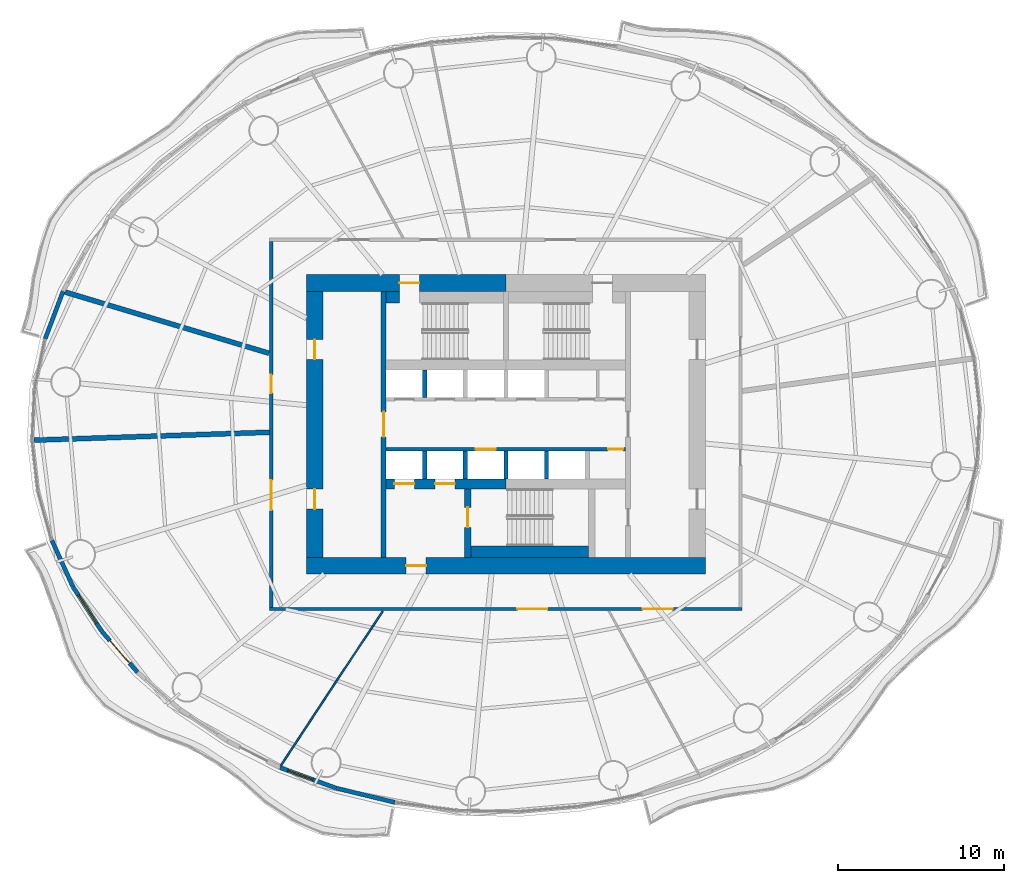
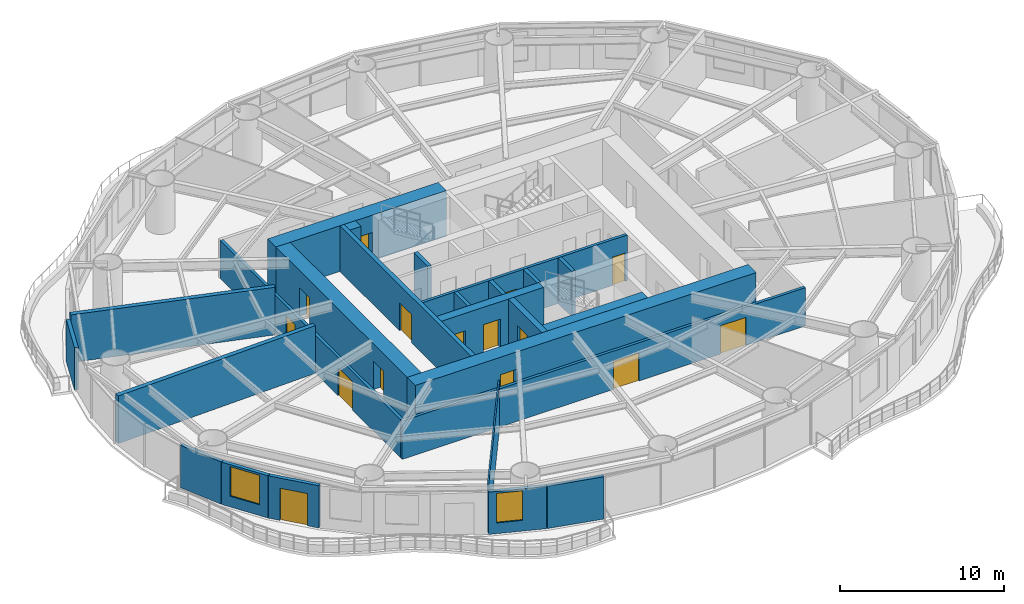
# One storey, part 8 of 16: 25 walls, 15 doors, 2 windows, 17 openings.
"""IFC4 building model written with IfcOpenShell, lengths in metres."""

from ifc_helpers import new_model, si_unit, direction, frame, frame_2d, origin, place, context, subcontext, project, spatial, rectangle, extrude, material, layer, layer_set, type_object, element, fill, save


model = new_model("IFC4")

# Units and contexts
model_context = context("Model", 3, precision=1e-05, world=origin(), true_north=direction((0.0, 1.0)))
body_context = subcontext(model_context, "Body", "Model", "MODEL_VIEW")
ifc_project = project(units=[si_unit("LENGTHUNIT", "METRE"), si_unit("AREAUNIT", "SQUARE_METRE"), si_unit("VOLUMEUNIT", "CUBIC_METRE"), si_unit("PLANEANGLEUNIT", "RADIAN"), si_unit("MASSUNIT", "GRAM", prefix="KILO")], contexts=[model_context])

# Site, building, storey
site_placement = place(None, origin())
site = spatial("IfcSite", under=ifc_project, at=site_placement, CompositionType="ELEMENT")
building_placement = place(site_placement, origin())
building = spatial("IfcBuilding", under=site, at=building_placement, Name="Vermilion Reach Broadcast Tower", CompositionType="ELEMENT")
storey_placement = place(building_placement, frame((0.0, 0.0, 43.39990234375)))
storey = spatial("IfcBuildingStorey", under=building, at=storey_placement, Name="L07", CompositionType="ELEMENT", Elevation=43.39990234375)

# Wall, opening, door
ifc_material_1 = material(Name="Concrete C70", Category="concrete")
ifc_layer_1 = layer(ifc_material_1, 0.300048828125)
ifc_layer_set_1 = layer_set([ifc_layer_1], Name="Core inner wall 300 mm Concrete C70")
wall_type_1 = type_object("IfcWallType", Name="Core inner wall 300 mm Concrete C70", PredefinedType="SHEAR", material=ifc_layer_set_1)
wall_1_placement = place(storey_placement, frame((-13.35009765625, 8.0, 0.0), z_axis=(0.0, 0.0, 1.0), x_axis=(0.0, -1.0, 0.0)))
wall_1 = element("IfcWall", 1, at=wall_1_placement, inside=storey, type_object=wall_type_1, Name="L07 core wall ewW", PredefinedType="SHEAR", context=body_context, shape_type="SweptSolid", body=[
    extrude(rectangle(XDim=16.0, YDim=0.300048828125, at=frame_2d((8.0, 0.0))), origin(), (0.0, 0.0, 1.0), 3.400146484375),
])
opening_1_placement = place(wall_1_placement, frame((7.25, 0.0, 0.0)))
opening_1 = element("IfcOpeningElement", 2, at=opening_1_placement, cuts=wall_1, Name="Opening D04", PredefinedType="OPENING", context=body_context, shape_type="SweptSolid", body=[
    extrude(rectangle(XDim=1.5, YDim=2.10009765625, at=frame_2d((0.75, 1.050048828125))), frame((0.0, 0.159912109375, 0.0), z_axis=(0.0, -1.0, 0.0), x_axis=(1.0, 0.0, 0.0)), (0.0, 0.0, 1.0), 0.320068359375),
])
ifc_material_2 = material(Name="Painted steel fire door", Category="steel")
door_type_1 = type_object("IfcDoorType", Name="Lift lobby door 1500 x 2100", OperationType="DOUBLE_DOOR_SINGLE_SWING", PredefinedType="NOTDEFINED", material=ifc_material_2)
door_1_placement = place(opening_1_placement, origin())
door_1 = element("IfcDoor", 3, at=door_1_placement, inside=storey, type_object=door_type_1, Name="L07 band door BW", OperationType="DOUBLE_DOOR_SINGLE_SWING", OverallHeight=2.10009765625, OverallWidth=1.5, PredefinedType="NOTDEFINED", context=body_context, shape_type="SweptSolid", body=[
    extrude(rectangle(XDim=1.5, YDim=2.10009765625, at=frame_2d((0.75, 1.050048828125))), frame((0.0, 0.02490234375, 0.0), z_axis=(0.0, -1.0, 0.0), x_axis=(1.0, 0.0, 0.0)), (0.0, 0.0, 1.0), 0.050048828125),
])
fill(opening_1, door_1)

ifc_material_3 = material(Name="Concrete C70", Category="concrete")
ifc_layer_2 = layer(ifc_material_3, 0.39990234375)
ifc_layer_set_2 = layer_set([ifc_layer_2], Name="Core inner wall 400 mm Concrete C70")
wall_type_2 = type_object("IfcWallType", Name="Core inner wall 400 mm Concrete C70", PredefinedType="SHEAR", material=ifc_layer_set_2)
wall_2_placement = place(storey_placement, frame((-8.300048828125, -3.8798828125, 0.0), z_axis=(0.0, 0.0, 1.0), x_axis=(0.0, -1.0, 0.0)))
wall_2 = element("IfcWall", 4, at=wall_2_placement, inside=storey, type_object=wall_type_2, Name="L07 core wall wa", PredefinedType="SHEAR", context=body_context, shape_type="SweptSolid", body=[
    extrude(rectangle(XDim=4.1201171875, YDim=0.39990234375, at=frame_2d((2.06005859375, 0.0))), origin(), (0.0, 0.0, 1.0), 3.400146484375),
])
opening_2_placement = place(wall_2_placement, frame((1.110107421875, 0.0, 0.0)))
opening_2 = element("IfcOpeningElement", 5, at=opening_2_placement, cuts=wall_2, Name="Opening D01", PredefinedType="OPENING", context=body_context, shape_type="SweptSolid", body=[
    extrude(rectangle(XDim=1.199951171875, YDim=2.10009765625, at=frame_2d((0.60009765625, 1.050048828125))), frame((0.0, 0.2099609375, 0.0), z_axis=(0.0, -1.0, 0.0), x_axis=(1.0, 0.0, 0.0)), (0.0, 0.0, 1.0), 0.419921875),
])
ifc_material_4 = material(Name="Painted steel fire door", Category="steel")
door_type_2 = type_object("IfcDoorType", Name="Stair door 1200 x 2100", OperationType="DOUBLE_DOOR_SINGLE_SWING", PredefinedType="NOTDEFINED", material=ifc_material_4)
door_2_placement = place(opening_2_placement, origin())
door_2 = element("IfcDoor", 6, at=door_2_placement, inside=storey, type_object=door_type_2, Name="L07 stair door ST3", OperationType="DOUBLE_DOOR_SINGLE_SWING", OverallHeight=2.10009765625, OverallWidth=1.199951171875, PredefinedType="NOTDEFINED", context=body_context, shape_type="SweptSolid", body=[
    extrude(rectangle(XDim=1.199951171875, YDim=2.10009765625, at=frame_2d((0.60009765625, 1.050048828125))), frame((0.0, 0.02490234375, 0.0), z_axis=(0.0, -1.0, 0.0), x_axis=(1.0, 0.0, 0.0)), (0.0, 0.0, 1.0), 0.050048828125),
])
fill(opening_2, door_2)

# Wall, openings, doors
ifc_material_5 = material(Name="Concrete C70", Category="concrete")
ifc_layer_3 = layer(ifc_material_5, 0.60009765625)
ifc_layer_set_3 = layer_set([ifc_layer_3], Name="Core inner wall 600 mm Concrete C70")
wall_type_3 = type_object("IfcWallType", Name="Core inner wall 600 mm Concrete C70", PredefinedType="SHEAR", material=ifc_layer_set_3)
wall_3_placement = place(storey_placement, frame((-13.199951171875, -3.580078125, 0.0), z_axis=(0.0, 0.0, 1.0), x_axis=(1.0, 0.0, 0.0)))
wall_3 = element("IfcWall", 7, at=wall_3_placement, inside=storey, type_object=wall_type_3, Name="L07 core wall wisW", PredefinedType="SHEAR", context=body_context, shape_type="SweptSolid", body=[
    extrude(rectangle(XDim=7.199951171875, YDim=0.60009765625, at=frame_2d((3.60009765625, 0.0))), origin(), (0.0, 0.0, 1.0), 3.400146484375),
])
opening_3_placement = place(wall_3_placement, frame((0.495849609375, 0.0, 0.0)))
opening_3 = element("IfcOpeningElement", 8, at=opening_3_placement, cuts=wall_3, Name="Opening LD1", PredefinedType="OPENING", context=body_context, shape_type="SweptSolid", body=[
    extrude(rectangle(XDim=1.199951171875, YDim=2.10009765625, at=frame_2d((0.60009765625, 1.050048828125))), frame((0.0, 0.31005859375, 0.0), z_axis=(0.0, -1.0, 0.0), x_axis=(1.0, 0.0, 0.0)), (0.0, 0.0, 1.0), 0.6201171875),
])
opening_4_placement = place(wall_3_placement, frame((2.9375, 0.0, 0.0)))
opening_4 = element("IfcOpeningElement", 9, at=opening_4_placement, cuts=wall_3, Name="Opening LD1", PredefinedType="OPENING", context=body_context, shape_type="SweptSolid", body=[
    extrude(rectangle(XDim=1.199951171875, YDim=2.10009765625, at=frame_2d((0.60009765625, 1.050048828125))), frame((0.0, 0.31005859375, 0.0), z_axis=(0.0, -1.0, 0.0), x_axis=(1.0, 0.0, 0.0)), (0.0, 0.0, 1.0), 0.6201171875),
])
ifc_material_6 = material(Name="Stainless steel", Category="steel")
door_type_3 = type_object("IfcDoorType", Name="Landing door 1200 x 2100", OperationType="DOUBLE_DOOR_SLIDING", PredefinedType="NOTDEFINED", material=ifc_material_6)
door_3_placement = place(opening_3_placement, origin())
door_3 = element("IfcDoor", 10, at=door_3_placement, inside=storey, type_object=door_type_3, Name="L07 landing door FF1", OperationType="DOUBLE_DOOR_SLIDING", OverallHeight=2.10009765625, OverallWidth=1.199951171875, PredefinedType="NOTDEFINED", context=body_context, shape_type="SweptSolid", body=[
    extrude(rectangle(XDim=1.199951171875, YDim=2.10009765625, at=frame_2d((0.60009765625, 1.050048828125))), frame((0.0, 0.02490234375, 0.0), z_axis=(0.0, -1.0, 0.0), x_axis=(1.0, 0.0, 0.0)), (0.0, 0.0, 1.0), 0.050048828125),
])
fill(opening_3, door_3)
door_4_placement = place(opening_4_placement, origin())
door_4 = element("IfcDoor", 11, at=door_4_placement, inside=storey, type_object=door_type_3, Name="L07 landing door FF2", OperationType="DOUBLE_DOOR_SLIDING", OverallHeight=2.10009765625, OverallWidth=1.199951171875, PredefinedType="NOTDEFINED", context=body_context, shape_type="SweptSolid", body=[
    extrude(rectangle(XDim=1.199951171875, YDim=2.10009765625, at=frame_2d((0.60009765625, 1.050048828125))), frame((0.0, 0.02490234375, 0.0), z_axis=(0.0, -1.0, 0.0), x_axis=(1.0, 0.0, 0.0)), (0.0, 0.0, 1.0), 0.050048828125),
])
fill(opening_4, door_4)

# Wall, opening, door
ifc_material_7 = material(Name="Concrete C70", Category="concrete")
ifc_layer_4 = layer(ifc_material_7, 1.0)
ifc_layer_set_4 = layer_set([ifc_layer_4], Name="Core outer wall 1000 mm Concrete C70")
wall_type_4 = type_object("IfcWallType", Name="Core outer wall 1000 mm Concrete C70", PredefinedType="SHEAR", material=ifc_layer_set_4)
wall_4_placement = place(storey_placement, frame((-6.0, 8.5, 0.0), z_axis=(0.0, 0.0, 1.0), x_axis=(-1.0, 0.0, 0.0)))
wall_4 = element("IfcWall", 12, at=wall_4_placement, inside=storey, type_object=wall_type_4, Name="L07 core wall onW", PredefinedType="SHEAR", context=body_context, shape_type="SweptSolid", body=[
    extrude(rectangle(XDim=12.0, YDim=1.0, at=frame_2d((6.0, 0.0))), origin(), (0.0, 0.0, 1.0), 3.400146484375),
])
opening_5_placement = place(wall_4_placement, frame((5.199951171875, 0.0, 0.0)))
opening_5 = element("IfcOpeningElement", 13, at=opening_5_placement, cuts=wall_4, Name="Opening D01", PredefinedType="OPENING", context=body_context, shape_type="SweptSolid", body=[
    extrude(rectangle(XDim=1.199951171875, YDim=2.10009765625, at=frame_2d((0.60009765625, 1.050048828125))), frame((0.0, 0.510009765625, 0.0), z_axis=(0.0, -1.0, 0.0), x_axis=(1.0, 0.0, 0.0)), (0.0, 0.0, 1.0), 1.02001953125),
])
door_5_placement = place(opening_5_placement, origin())
door_5 = element("IfcDoor", 14, at=door_5_placement, inside=storey, type_object=door_type_2, Name="L07 stair door ST1", OperationType="DOUBLE_DOOR_SINGLE_SWING", OverallHeight=2.10009765625, OverallWidth=1.199951171875, PredefinedType="NOTDEFINED", context=body_context, shape_type="SweptSolid", body=[
    extrude(rectangle(XDim=1.199951171875, YDim=2.10009765625, at=frame_2d((0.60009765625, 1.050048828125))), frame((0.0, 0.02490234375, 0.0), z_axis=(0.0, -1.0, 0.0), x_axis=(1.0, 0.0, 0.0)), (0.0, 0.0, 1.0), 0.050048828125),
])
fill(opening_5, door_5)

wall_5_placement = place(storey_placement, frame((-18.0, -8.5, 0.0), z_axis=(0.0, 0.0, 1.0), x_axis=(1.0, 0.0, 0.0)))
wall_5 = element("IfcWall", 15, at=wall_5_placement, inside=storey, type_object=wall_type_4, Name="L07 core wall os", PredefinedType="SHEAR", context=body_context, shape_type="SweptSolid", body=[
    extrude(rectangle(XDim=24.0, YDim=1.0, at=frame_2d((12.0, 0.0))), origin(), (0.0, 0.0, 1.0), 3.400146484375),
])
opening_6_placement = place(wall_5_placement, frame((6.0, 0.0, 0.0)))
opening_6 = element("IfcOpeningElement", 16, at=opening_6_placement, cuts=wall_5, Name="Opening D02", PredefinedType="OPENING", context=body_context, shape_type="SweptSolid", body=[
    extrude(rectangle(XDim=1.199951171875, YDim=2.10009765625, at=frame_2d((0.60009765625, 1.050048828125))), frame((0.0, 0.510009765625, 0.0), z_axis=(0.0, -1.0, 0.0), x_axis=(1.0, 0.0, 0.0)), (0.0, 0.0, 1.0), 1.02001953125),
])
ifc_material_8 = material(Name="Painted steel fire door", Category="steel")
door_type_4 = type_object("IfcDoorType", Name="Firefighting lobby door 1200 x 2100", OperationType="DOUBLE_DOOR_SINGLE_SWING", PredefinedType="NOTDEFINED", material=ifc_material_8)
door_6_placement = place(opening_6_placement, origin())
door_6 = element("IfcDoor", 17, at=door_6_placement, inside=storey, type_object=door_type_4, Name="L07 ffdoor door FFL", OperationType="DOUBLE_DOOR_SINGLE_SWING", OverallHeight=2.10009765625, OverallWidth=1.199951171875, PredefinedType="NOTDEFINED", context=body_context, shape_type="SweptSolid", body=[
    extrude(rectangle(XDim=1.199951171875, YDim=2.10009765625, at=frame_2d((0.60009765625, 1.050048828125))), frame((0.0, 0.02490234375, 0.0), z_axis=(0.0, -1.0, 0.0), x_axis=(1.0, 0.0, 0.0)), (0.0, 0.0, 1.0), 0.050048828125),
])
fill(opening_6, door_6)

# Wall, openings, doors
wall_6_placement = place(storey_placement, frame((-17.5, 8.0, 0.0), z_axis=(0.0, 0.0, 1.0), x_axis=(0.0, -1.0, 0.0)))
wall_6 = element("IfcWall", 18, at=wall_6_placement, inside=storey, type_object=wall_type_4, Name="L07 core wall ow", PredefinedType="SHEAR", context=body_context, shape_type="SweptSolid", body=[
    extrude(rectangle(XDim=16.0, YDim=1.0, at=frame_2d((8.0, 0.0))), origin(), (0.0, 0.0, 1.0), 3.400146484375),
])
opening_7_placement = place(wall_6_placement, frame((11.89990234375, 0.0, 0.0)))
opening_7 = element("IfcOpeningElement", 19, at=opening_7_placement, cuts=wall_6, Name="Opening D03", PredefinedType="OPENING", context=body_context, shape_type="SweptSolid", body=[
    extrude(rectangle(XDim=1.199951171875, YDim=2.10009765625, at=frame_2d((0.60009765625, 1.050048828125))), frame((0.0, 0.510009765625, 0.0), z_axis=(0.0, -1.0, 0.0), x_axis=(1.0, 0.0, 0.0)), (0.0, 0.0, 1.0), 1.02001953125),
])
opening_8_placement = place(wall_6_placement, frame((2.89990234375, 0.0, 0.0)))
opening_8 = element("IfcOpeningElement", 20, at=opening_8_placement, cuts=wall_6, Name="Opening D03", PredefinedType="OPENING", context=body_context, shape_type="SweptSolid", body=[
    extrude(rectangle(XDim=1.199951171875, YDim=2.10009765625, at=frame_2d((0.60009765625, 1.050048828125))), frame((0.0, 0.510009765625, 0.0), z_axis=(0.0, -1.0, 0.0), x_axis=(1.0, 0.0, 0.0)), (0.0, 0.0, 1.0), 1.02001953125),
])
ifc_material_9 = material(Name="Painted steel fire door", Category="steel")
door_type_5 = type_object("IfcDoorType", Name="Core lobby door 1200 x 2100", OperationType="DOUBLE_DOOR_SINGLE_SWING", PredefinedType="NOTDEFINED", material=ifc_material_9)
door_7_placement = place(opening_7_placement, origin())
door_7 = element("IfcDoor", 21, at=door_7_placement, inside=storey, type_object=door_type_5, Name="L07 slot door W0", OperationType="DOUBLE_DOOR_SINGLE_SWING", OverallHeight=2.10009765625, OverallWidth=1.199951171875, PredefinedType="NOTDEFINED", context=body_context, shape_type="SweptSolid", body=[
    extrude(rectangle(XDim=1.199951171875, YDim=2.10009765625, at=frame_2d((0.60009765625, 1.050048828125))), frame((0.0, 0.02490234375, 0.0), z_axis=(0.0, -1.0, 0.0), x_axis=(1.0, 0.0, 0.0)), (0.0, 0.0, 1.0), 0.050048828125),
])
fill(opening_7, door_7)
door_8_placement = place(opening_8_placement, origin())
door_8 = element("IfcDoor", 22, at=door_8_placement, inside=storey, type_object=door_type_5, Name="L07 slot door W1", OperationType="DOUBLE_DOOR_SINGLE_SWING", OverallHeight=2.10009765625, OverallWidth=1.199951171875, PredefinedType="NOTDEFINED", context=body_context, shape_type="SweptSolid", body=[
    extrude(rectangle(XDim=1.199951171875, YDim=2.10009765625, at=frame_2d((0.60009765625, 1.050048828125))), frame((0.0, 0.02490234375, 0.0), z_axis=(0.0, -1.0, 0.0), x_axis=(1.0, 0.0, 0.0)), (0.0, 0.0, 1.0), 0.050048828125),
])
fill(opening_8, door_8)

ifc_material_10 = material(Name="Concrete C50", Category="concrete")
ifc_layer_5 = layer(ifc_material_10, 0.199951171875)
ifc_layer_set_5 = layer_set([ifc_layer_5], Name="Core shaft wall 200 mm Concrete C50")
wall_type_5 = type_object("IfcWallType", Name="Core shaft wall 200 mm Concrete C50", PredefinedType="SHEAR", material=ifc_layer_set_5)
wall_7_placement = place(storey_placement, frame((1.199951171875, -1.5, 0.0), z_axis=(0.0, 0.0, 1.0), x_axis=(-1.0, 0.0, 0.0)))
wall_7 = element("IfcWall", 23, at=wall_7_placement, inside=storey, type_object=wall_type_5, Name="L07 core wall fs", PredefinedType="SHEAR", context=body_context, shape_type="SweptSolid", body=[
    extrude(rectangle(XDim=14.39990234375, YDim=0.199951171875, at=frame_2d((7.199951171875, 0.0))), origin(), (0.0, 0.0, 1.0), 3.400146484375),
])
opening_9_placement = place(wall_7_placement, frame((7.82080078125, 0.0, 0.0)))
opening_9 = element("IfcOpeningElement", 24, at=opening_9_placement, cuts=wall_7, Name="Opening LD1", PredefinedType="OPENING", context=body_context, shape_type="SweptSolid", body=[
    extrude(rectangle(XDim=1.199951171875, YDim=2.10009765625, at=frame_2d((0.60009765625, 1.050048828125))), frame((0.0, 0.10986328125, 0.0), z_axis=(0.0, -1.0, 0.0), x_axis=(1.0, 0.0, 0.0)), (0.0, 0.0, 1.0), 0.219970703125),
])
opening_10_placement = place(wall_7_placement, frame((0.14990234375, 0.0, 0.0)))
opening_10 = element("IfcOpeningElement", 25, at=opening_10_placement, cuts=wall_7, Name="Opening D06", PredefinedType="OPENING", context=body_context, shape_type="SweptSolid", body=[
    extrude(rectangle(XDim=0.89990234375, YDim=2.10009765625, at=frame_2d((0.449951171875, 1.050048828125))), frame((0.0, 0.10986328125, 0.0), z_axis=(0.0, -1.0, 0.0), x_axis=(1.0, 0.0, 0.0)), (0.0, 0.0, 1.0), 0.219970703125),
])
door_9_placement = place(opening_9_placement, origin())
door_9 = element("IfcDoor", 26, at=door_9_placement, inside=storey, type_object=door_type_3, Name="L07 landing door SV1", OperationType="DOUBLE_DOOR_SLIDING", OverallHeight=2.10009765625, OverallWidth=1.199951171875, PredefinedType="NOTDEFINED", context=body_context, shape_type="SweptSolid", body=[
    extrude(rectangle(XDim=1.199951171875, YDim=2.10009765625, at=frame_2d((0.60009765625, 1.050048828125))), frame((0.0, 0.02490234375, 0.0), z_axis=(0.0, -1.0, 0.0), x_axis=(1.0, 0.0, 0.0)), (0.0, 0.0, 1.0), 0.050048828125),
])
fill(opening_9, door_9)
ifc_material_11 = material(Name="Timber door", Category="wood")
door_type_6 = type_object("IfcDoorType", Name="WC door 900 x 2100", OperationType="NOTDEFINED", PredefinedType="NOTDEFINED", material=ifc_material_11)
door_10_placement = place(opening_10_placement, origin())
door_10 = element("IfcDoor", 27, at=door_10_placement, inside=storey, type_object=door_type_6, Name="L07 door Male WC", OperationType="SINGLE_SWING_LEFT", OverallHeight=2.10009765625, OverallWidth=0.89990234375, PredefinedType="NOTDEFINED", context=body_context, shape_type="SweptSolid", body=[
    extrude(rectangle(XDim=0.89990234375, YDim=2.10009765625, at=frame_2d((0.449951171875, 1.050048828125))), frame((0.0, 0.02490234375, 0.0), z_axis=(0.0, -1.0, 0.0), x_axis=(1.0, 0.0, 0.0)), (0.0, 0.0, 1.0), 0.050048828125),
])
fill(opening_10, door_10)

# Walls
ifc_material_12 = material(Name="Concrete C50", Category="concrete")
ifc_layer_6 = layer(ifc_material_12, 0.25)
ifc_layer_set_6 = layer_set([ifc_layer_6], Name="Core shaft wall 250 mm Concrete C50")
wall_type_6 = type_object("IfcWallType", Name="Core shaft wall 250 mm Concrete C50", PredefinedType="SHEAR", material=ifc_layer_set_6)
for number, where, z_axis, x_axis, name in (
    (28, (-10.88330078125, 1.60009765625, 0.0), (0.0, 0.0, 1.0), (0.0, 1.0, 0.0), "L07 core wall psN0"),
    (29, (-10.88330078125, -1.60009765625, 0.0), (0.0, 0.0, 1.0), (0.0, -1.0, 0.0), "L07 core wall psS0"),
    (30, (-8.441650390625, -1.60009765625, 0.0), (0.0, 0.0, 1.0), (0.0, -1.0, 0.0), "L07 core wall psS1"),
    (31, (-6.0, -1.60009765625, 0.0), (0.0, 0.0, 1.0), (0.0, -1.0, 0.0), "L07 core wall psS2"),
    (32, (-3.558349609375, -1.60009765625, 0.0), (0.0, 0.0, 1.0), (0.0, -1.0, 0.0), "L07 core wall psS3"),
):
    element("IfcWall", number, at=place(storey_placement, frame(where, z_axis=z_axis, x_axis=x_axis)), inside=storey, type_object=wall_type_6, Name=name, PredefinedType="SHEAR", context=body_context, shape_type="SweptSolid", body=[
        extrude(rectangle(XDim=1.679931640625, YDim=0.25, at=frame_2d((0.83984375, 0.0))), origin(), (0.0, 0.0, 1.0), 3.400146484375),
    ])
ifc_material_13 = material(Name="Concrete C70", Category="concrete")
ifc_layer_7 = layer(ifc_material_13, 0.699951171875)
ifc_layer_set_7 = layer_set([ifc_layer_7], Name="Core stair wall 700 mm Concrete C70")
wall_type_7 = type_object("IfcWallType", Name="Core stair wall 700 mm Concrete C70", PredefinedType="SHEAR", material=ifc_layer_set_7)
wall_8_placement = place(storey_placement, frame((-13.199951171875, 7.64990234375, 0.0), z_axis=(0.0, 0.0, 1.0), x_axis=(1.0, 0.0, 0.0)))
element("IfcWall", 33, at=wall_8_placement, inside=storey, type_object=wall_type_7, Name="L07 core wall l1a", PredefinedType="SHEAR", context=body_context, shape_type="SweptSolid", body=[
    extrude(rectangle(XDim=0.800048828125, YDim=0.699951171875, at=frame_2d((0.39990234375, 0.0))), origin(), (0.0, 0.0, 1.0), 3.400146484375),
])
wall_9_placement = place(storey_placement, frame((-8.10009765625, -7.64990234375, 0.0), z_axis=(0.0, 0.0, 1.0), x_axis=(1.0, 0.0, 0.0)))
element("IfcWall", 34, at=wall_9_placement, inside=storey, type_object=wall_type_7, Name="L07 core wall l3", PredefinedType="SHEAR", context=body_context, shape_type="SweptSolid", body=[
    extrude(rectangle(XDim=7.050048828125, YDim=0.699951171875, at=frame_2d((3.52490234375, 0.0))), origin(), (0.0, 0.0, 1.0), 3.400146484375),
])
ifc_material_14 = material(Name="Plasterboard on steel stud", Category="steel")
ifc_layer_8 = layer(ifc_material_14, 0.10009765625)
ifc_layer_set_8 = layer_set([ifc_layer_8], Name="Partition 100 steel stud")
wall_type_8 = type_object("IfcWallType", Name="Partition 100 steel stud", PredefinedType="PARTITIONING", material=ifc_layer_set_8)
wall_10_placement = place(storey_placement, frame((-19.537353515625, -20.517578125, 0.0), z_axis=(0.0, 0.0, 1.0), x_axis=(0.550715074496, 0.834693300993, 0.0)))
element("IfcWall", 35, at=wall_10_placement, inside=storey, type_object=wall_type_8, Name="Partition 7.07", PredefinedType="PARTITIONING", context=body_context, shape_type="SweptSolid", body=[
    extrude(rectangle(XDim=11.1298828125, YDim=0.10009765625, at=frame_2d((5.56494140625, 0.0))), origin(), (0.0, 0.0, 1.0), 3.550048828125),
])
ifc_material_15 = material(Name="Double-leaf plasterboard on isolated steel stud", Category="steel")
ifc_layer_9 = layer(ifc_material_15, 0.300048828125)
ifc_layer_set_9 = layer_set([ifc_layer_9], Name="Partition 300 acoustic double leaf")
wall_type_9 = type_object("IfcWallType", Name="Partition 300 acoustic double leaf", PredefinedType="PARTITIONING", material=ifc_layer_set_9)
wall_11_placement = place(storey_placement, frame((-32.5078125, 7.955322265625, 0.0), z_axis=(0.0, 0.0, 1.0), x_axis=(0.957793744638, -0.287456331872, 0.0)))
element("IfcWall", 36, at=wall_11_placement, inside=storey, type_object=wall_type_9, Name="Partition 7.05", PredefinedType="PARTITIONING", context=body_context, shape_type="SweptSolid", body=[
    extrude(rectangle(XDim=12.80517578125, YDim=0.300048828125, at=frame_2d((6.402587890625, 0.0))), origin(), (0.0, 0.0, 1.0), 3.550048828125),
])
wall_12_placement = place(storey_placement, frame((-34.356689453125, -0.95068359375, 0.0), z_axis=(0.0, 0.0, 1.0), x_axis=(0.999438092699, 0.033518634559, 0.0)))
element("IfcWall", 37, at=wall_12_placement, inside=storey, type_object=wall_type_9, Name="Partition 7.06", PredefinedType="PARTITIONING", context=body_context, shape_type="SweptSolid", body=[
    extrude(rectangle(XDim=14.15966796875, YDim=0.300048828125, at=frame_2d((7.079833984375, 0.0))), origin(), (0.0, 0.0, 1.0), 3.550048828125),
])
ifc_material_16 = material(Name="Terracotta rainscreen cladding", Category="masonry")
ifc_layer_10 = layer(ifc_material_16, 0.25)
ifc_layer_set_10 = layer_set([ifc_layer_10], Name="Terracotta rainscreen wall 250")
wall_type_10 = type_object("IfcWallType", Name="Terracotta rainscreen wall 250", PredefinedType="SOLIDWALL", material=ifc_layer_set_10)
for number, where, z_axis, x_axis, name in (
    (38, (-32.625732421875, 7.995361328125, 0.0), (0.0, 0.0, 1.0), (-0.351570793039, -0.936161298859, 0.0), "External wall L07 21"),
    (39, (-33.29150390625, -6.9833984375, 0.0), (0.0, 0.0, 1.0), (0.413441056797, -0.910530885008, 0.0), "External wall L07 26"),
):
    element("IfcWall", number, at=place(storey_placement, frame(where, z_axis=z_axis, x_axis=x_axis)), inside=storey, type_object=wall_type_10, Name=name, PredefinedType="SOLIDWALL", context=body_context, shape_type="SweptSolid", body=[
        extrude(rectangle(XDim=3.050048828125, YDim=0.25, at=frame_2d((1.52490234375, 0.0))), origin(), (0.0, 0.0, 1.0), 3.150146484375),
    ])

# Wall, opening, window
wall_13_placement = place(storey_placement, frame((-32.017822265625, -9.783935546875, 0.0), z_axis=(0.0, 0.0, 1.0), x_axis=(0.544086790483, -0.839028941349, 0.0)))
wall_13 = element("IfcWall", 40, at=wall_13_placement, inside=storey, type_object=wall_type_10, Name="External wall L07 27", PredefinedType="SOLIDWALL", context=body_context, shape_type="SweptSolid", body=[
    extrude(rectangle(XDim=3.1611328125, YDim=0.25, at=frame_2d((1.58056640625, 0.0))), origin(), (0.0, 0.0, 1.0), 3.150146484375),
])
opening_11_placement = place(wall_13_placement, frame((0.58056640625, 0.0, 0.800048828125)))
opening_11 = element("IfcOpeningElement", 41, at=opening_11_placement, cuts=wall_13, Name="Opening W01", PredefinedType="OPENING", context=body_context, shape_type="SweptSolid", body=[
    extrude(rectangle(XDim=2.0, YDim=2.199951171875, at=frame_2d((1.0, 1.10009765625))), frame((0.0, 0.135009765625, 0.0), z_axis=(0.0, -1.0, 0.0), x_axis=(1.0, 0.0, 0.0)), (0.0, 0.0, 1.0), 0.27001953125),
])
ifc_material_17 = material(Name="Low-e laminated clear glass in aluminium frame", Category="aluminium")
window_type_1 = type_object("IfcWindowType", Name="Punched window 2000 x 2200 sill 800", PartitioningType="SINGLE_PANEL", PredefinedType="WINDOW", material=ifc_material_17)
window_1_placement = place(opening_11_placement, origin())
window_1 = element("IfcWindow", 42, at=window_1_placement, inside=storey, type_object=window_type_1, Name="Window L07 27", OverallHeight=2.199951171875, OverallWidth=2.0, PartitioningType="SINGLE_PANEL", PredefinedType="WINDOW", context=body_context, shape_type="SweptSolid", body=[
    extrude(rectangle(XDim=2.0, YDim=2.199951171875, at=frame_2d((1.0, 1.10009765625))), frame((0.0, 0.030029296875, 0.0), z_axis=(0.0, -1.0, 0.0), x_axis=(1.0, 0.0, 0.0)), (0.0, 0.0, 1.0), 0.06005859375),
])
fill(opening_11, window_1)

# Wall, opening, door
wall_14_placement = place(storey_placement, frame((-30.282470703125, -12.456787109375, 0.0), z_axis=(0.0, 0.0, 1.0), x_axis=(0.657550554533, -0.753410424824, 0.0)))
wall_14 = element("IfcWall", 43, at=wall_14_placement, inside=storey, type_object=wall_type_10, Name="External wall L07 28", PredefinedType="SOLIDWALL", context=body_context, shape_type="SweptSolid", body=[
    extrude(rectangle(XDim=3.24462890625, YDim=0.25, at=frame_2d((1.622314453125, 0.0))), origin(), (0.0, 0.0, 1.0), 3.150146484375),
])
opening_12_placement = place(wall_14_placement, frame((0.721923828125, 0.0, 0.0)))
opening_12 = element("IfcOpeningElement", 44, at=opening_12_placement, cuts=wall_14, Name="Opening D70", PredefinedType="OPENING", context=body_context, shape_type="SweptSolid", body=[
    extrude(rectangle(XDim=1.800048828125, YDim=2.39990234375, at=frame_2d((0.89990234375, 1.199951171875))), frame((0.0, 0.135009765625, 0.0), z_axis=(0.0, -1.0, 0.0), x_axis=(1.0, 0.0, 0.0)), (0.0, 0.0, 1.0), 0.27001953125),
])
ifc_material_18 = material(Name="Low-e laminated clear glass in aluminium frame", Category="aluminium")
door_type_7 = type_object("IfcDoorType", Name="Balcony sliding door 1800 x 2400", OperationType="DOUBLE_DOOR_SLIDING", PredefinedType="DOOR", material=ifc_material_18)
door_11_placement = place(opening_12_placement, origin())
door_11 = element("IfcDoor", 45, at=door_11_placement, inside=storey, type_object=door_type_7, Name="Balcony door L07 run 07", OperationType="DOUBLE_DOOR_SLIDING", OverallHeight=2.39990234375, OverallWidth=1.800048828125, PredefinedType="DOOR", context=body_context, shape_type="SweptSolid", body=[
    extrude(rectangle(XDim=1.800048828125, YDim=2.39990234375, at=frame_2d((0.89990234375, 1.199951171875))), frame((0.0, 0.02490234375, 0.0), z_axis=(0.0, -1.0, 0.0), x_axis=(1.0, 0.0, 0.0)), (0.0, 0.0, 1.0), 0.050048828125),
])
fill(opening_12, door_11)

# Wall, opening, window
wall_15_placement = place(storey_placement, frame((-19.576171875, -20.635986328125, 0.0), z_axis=(0.0, 0.0, 1.0), x_axis=(0.939175868645, -0.343436584766, 0.0)))
wall_15 = element("IfcWall", 46, at=wall_15_placement, inside=storey, type_object=wall_type_10, Name="External wall L07 32", PredefinedType="SOLIDWALL", context=body_context, shape_type="SweptSolid", body=[
    extrude(rectangle(XDim=3.587158203125, YDim=0.25, at=frame_2d((1.79345703125, 0.0))), origin(), (0.0, 0.0, 1.0), 3.150146484375),
])
opening_13_placement = place(wall_15_placement, frame((0.493896484375, 0.0, 0.800048828125)))
opening_13 = element("IfcOpeningElement", 47, at=opening_13_placement, cuts=wall_15, Name="Opening W02", PredefinedType="OPENING", context=body_context, shape_type="SweptSolid", body=[
    extrude(rectangle(XDim=1.60009765625, YDim=2.199951171875, at=frame_2d((0.800048828125, 1.10009765625))), frame((0.0, 0.135009765625, 0.0), z_axis=(0.0, -1.0, 0.0), x_axis=(1.0, 0.0, 0.0)), (0.0, 0.0, 1.0), 0.27001953125),
])
ifc_material_19 = material(Name="Low-e laminated clear glass in aluminium frame", Category="aluminium")
window_type_2 = type_object("IfcWindowType", Name="Punched window 1600 x 2200 sill 800", PartitioningType="SINGLE_PANEL", PredefinedType="WINDOW", material=ifc_material_19)
window_2_placement = place(opening_13_placement, origin())
window_2 = element("IfcWindow", 48, at=window_2_placement, inside=storey, type_object=window_type_2, Name="Window L07 32", OverallHeight=2.199951171875, OverallWidth=1.60009765625, PartitioningType="SINGLE_PANEL", PredefinedType="WINDOW", context=body_context, shape_type="SweptSolid", body=[
    extrude(rectangle(XDim=1.60009765625, YDim=2.199951171875, at=frame_2d((0.800048828125, 1.10009765625))), frame((0.0, 0.030029296875, 0.0), z_axis=(0.0, -1.0, 0.0), x_axis=(1.0, 0.0, 0.0)), (0.0, 0.0, 1.0), 0.06005859375),
])
fill(opening_13, window_2)

# Wall
wall_16_placement = place(storey_placement, frame((-16.186279296875, -21.874267578125, 0.0), z_axis=(0.0, 0.0, 1.0), x_axis=(0.971867028234, -0.235530209171, 0.0)))
element("IfcWall", 49, at=wall_16_placement, inside=storey, type_object=wall_type_10, Name="External wall L07 33", PredefinedType="SOLIDWALL", context=body_context, shape_type="SweptSolid", body=[
    extrude(rectangle(XDim=3.60302734375, YDim=0.25, at=frame_2d((1.801513671875, 0.0))), origin(), (0.0, 0.0, 1.0), 3.150146484375),
])

# Wall, openings, doors
ifc_material_20 = material(Name="Fire-rated gypsum board partition")
ifc_layer_11 = layer(ifc_material_20, 0.199951171875)
ifc_layer_set_11 = layer_set([ifc_layer_11], Name="Under girder: Corridor wall 200 fire-rated")
wall_type_11 = type_object("IfcWallType", Name="Under girder: Corridor wall 200 fire-rated", PredefinedType="PARTITIONING", material=ifc_layer_set_11)
wall_17_placement = place(storey_placement, frame((8.199951171875, -11.10009765625, 0.0), z_axis=(0.0, 0.0, 1.0), x_axis=(-1.0, 0.0, 0.0)))
wall_17 = element("IfcWall", 50, at=wall_17_placement, inside=storey, type_object=wall_type_11, Name="Corridor wall 7.S", PredefinedType="PARTITIONING", context=body_context, shape_type="SweptSolid", body=[
    extrude(rectangle(XDim=28.39990234375, YDim=0.199951171875, at=frame_2d((14.199951171875, 0.0))), origin(), (0.0, 0.0, 1.0), 2.85009765625),
])
opening_14_placement = place(wall_17_placement, frame((11.712890625, 0.0, 0.0)))
opening_14 = element("IfcOpeningElement", 51, at=opening_14_placement, cuts=wall_17, Name="Opening D21", PredefinedType="OPENING", context=body_context, shape_type="SweptSolid", body=[
    extrude(rectangle(XDim=1.800048828125, YDim=2.10009765625, at=frame_2d((0.89990234375, 1.050048828125))), frame((0.0, 0.10986328125, 0.0), z_axis=(0.0, -1.0, 0.0), x_axis=(1.0, 0.0, 0.0)), (0.0, 0.0, 1.0), 0.219970703125),
])
opening_15_placement = place(wall_17_placement, frame((4.18603515625, 0.0, 0.0)))
opening_15 = element("IfcOpeningElement", 52, at=opening_15_placement, cuts=wall_17, Name="Opening D21", PredefinedType="OPENING", context=body_context, shape_type="SweptSolid", body=[
    extrude(rectangle(XDim=1.800048828125, YDim=2.10009765625, at=frame_2d((0.89990234375, 1.050048828125))), frame((0.0, 0.10986328125, 0.0), z_axis=(0.0, -1.0, 0.0), x_axis=(1.0, 0.0, 0.0)), (0.0, 0.0, 1.0), 0.219970703125),
])
ifc_material_21 = material(Name="Timber door leaf", Category="wood")
door_type_8 = type_object("IfcDoorType", Name="Door pair 1800x2100", OperationType="NOTDEFINED", PredefinedType="DOOR", material=ifc_material_21)
door_12_placement = place(opening_14_placement, origin())
door_12 = element("IfcDoor", 53, at=door_12_placement, inside=storey, type_object=door_type_8, Name="Door 7.07", OperationType="DOUBLE_DOOR_SINGLE_SWING", OverallHeight=2.10009765625, OverallWidth=1.800048828125, PredefinedType="DOOR", context=body_context, shape_type="SweptSolid", body=[
    extrude(rectangle(XDim=1.800048828125, YDim=2.10009765625, at=frame_2d((0.89990234375, 1.050048828125))), frame((0.0, 0.02490234375, 0.0), z_axis=(0.0, -1.0, 0.0), x_axis=(1.0, 0.0, 0.0)), (0.0, 0.0, 1.0), 0.050048828125),
])
fill(opening_14, door_12)
door_13_placement = place(opening_15_placement, origin())
door_13 = element("IfcDoor", 54, at=door_13_placement, inside=storey, type_object=door_type_8, Name="Door 7.08", OperationType="DOUBLE_DOOR_SINGLE_SWING", OverallHeight=2.10009765625, OverallWidth=1.800048828125, PredefinedType="DOOR", context=body_context, shape_type="SweptSolid", body=[
    extrude(rectangle(XDim=1.800048828125, YDim=2.10009765625, at=frame_2d((0.89990234375, 1.050048828125))), frame((0.0, 0.02490234375, 0.0), z_axis=(0.0, -1.0, 0.0), x_axis=(1.0, 0.0, 0.0)), (0.0, 0.0, 1.0), 0.050048828125),
])
fill(opening_15, door_13)

wall_18_placement = place(storey_placement, frame((-20.10009765625, -11.0, 0.0), z_axis=(0.0, 0.0, 1.0), x_axis=(0.0, 1.0, 0.0)))
wall_18 = element("IfcWall", 55, at=wall_18_placement, inside=storey, type_object=wall_type_11, Name="Corridor wall 7.W", PredefinedType="PARTITIONING", context=body_context, shape_type="SweptSolid", body=[
    extrude(rectangle(XDim=22.0, YDim=0.199951171875, at=frame_2d((11.0, 0.0))), origin(), (0.0, 0.0, 1.0), 2.85009765625),
])
opening_16_placement = place(wall_18_placement, frame((12.870361328125, 0.0, 0.0)))
opening_16 = element("IfcOpeningElement", 56, at=opening_16_placement, cuts=wall_18, Name="Opening D28", PredefinedType="OPENING", context=body_context, shape_type="SweptSolid", body=[
    extrude(rectangle(XDim=1.10009765625, YDim=2.10009765625, at=frame_2d((0.550048828125, 1.050048828125))), frame((0.0, 0.10986328125, 0.0), z_axis=(0.0, -1.0, 0.0), x_axis=(1.0, 0.0, 0.0)), (0.0, 0.0, 1.0), 0.219970703125),
])
opening_17_placement = place(wall_18_placement, frame((5.8466796875, 0.0, 0.0)))
opening_17 = element("IfcOpeningElement", 57, at=opening_17_placement, cuts=wall_18, Name="Opening D21", PredefinedType="OPENING", context=body_context, shape_type="SweptSolid", body=[
    extrude(rectangle(XDim=1.800048828125, YDim=2.10009765625, at=frame_2d((0.89990234375, 1.050048828125))), frame((0.0, 0.10986328125, 0.0), z_axis=(0.0, -1.0, 0.0), x_axis=(1.0, 0.0, 0.0)), (0.0, 0.0, 1.0), 0.219970703125),
])
door_14_placement = place(opening_17_placement, origin())
door_14 = element("IfcDoor", 58, at=door_14_placement, inside=storey, type_object=door_type_8, Name="Door 7.06", OperationType="DOUBLE_DOOR_SINGLE_SWING", OverallHeight=2.10009765625, OverallWidth=1.800048828125, PredefinedType="DOOR", context=body_context, shape_type="SweptSolid", body=[
    extrude(rectangle(XDim=1.800048828125, YDim=2.10009765625, at=frame_2d((0.89990234375, 1.050048828125))), frame((0.0, 0.02490234375, 0.0), z_axis=(0.0, -1.0, 0.0), x_axis=(1.0, 0.0, 0.0)), (0.0, 0.0, 1.0), 0.050048828125),
])
fill(opening_17, door_14)
ifc_material_22 = material(Name="Acoustic sound-lock door leaf")
door_type_9 = type_object("IfcDoorType", Name="Door single 1100x2100", OperationType="NOTDEFINED", PredefinedType="DOOR", material=ifc_material_22)
door_15_placement = place(opening_16_placement, origin())
door_15 = element("IfcDoor", 59, at=door_15_placement, inside=storey, type_object=door_type_9, Name="Door 7.05", OperationType="SINGLE_SWING_RIGHT", OverallHeight=2.10009765625, OverallWidth=1.10009765625, PredefinedType="DOOR", context=body_context, shape_type="SweptSolid", body=[
    extrude(rectangle(XDim=1.10009765625, YDim=2.10009765625, at=frame_2d((0.550048828125, 1.050048828125))), frame((0.0, 0.02490234375, 0.0), z_axis=(0.0, -1.0, 0.0), x_axis=(1.0, 0.0, 0.0)), (0.0, 0.0, 1.0), 0.050048828125),
])
fill(opening_16, door_15)

save(model, "model.ifc")
